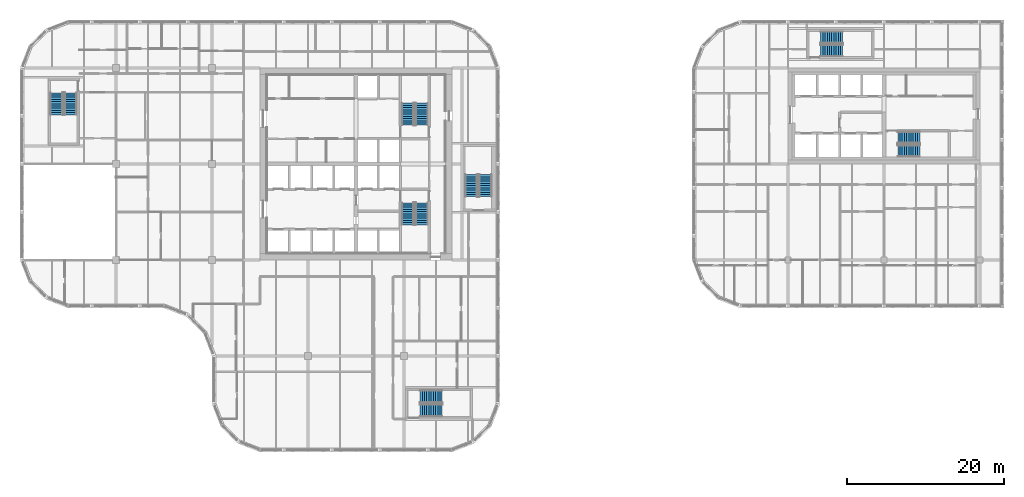
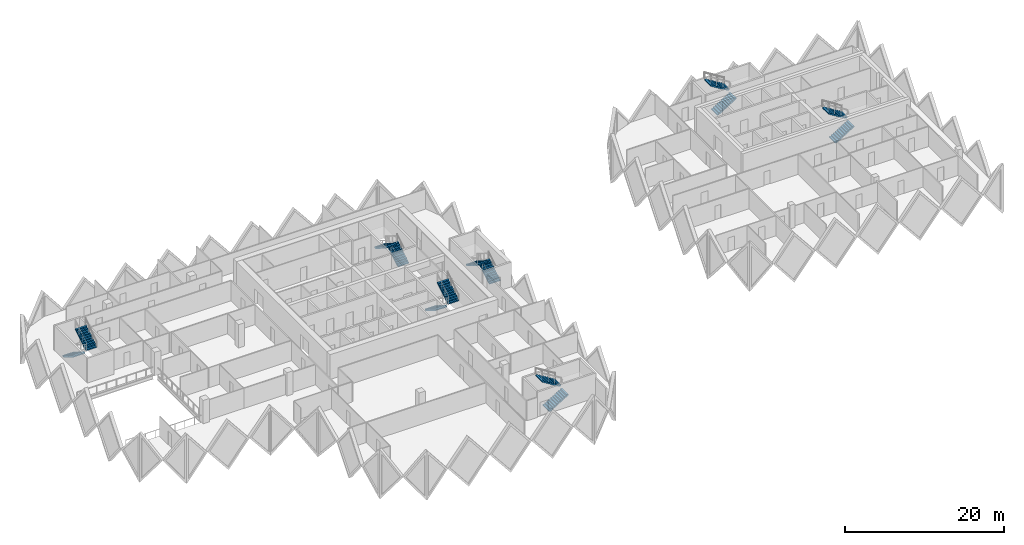
# One storey, part 16 of 18: 14 stair flights, 7 elements without a shape of their own.
"""IFC4 building model written with IfcOpenShell, lengths in metres."""

from ifc_helpers import new_model, si_unit, direction, frame, origin, place, context, subcontext, project, spatial, polyline, outline, extrude, material, type_object, element, aggregate, save


model = new_model("IFC4")

# Units and contexts
model_context = context("Model", 3, precision=1e-05, world=origin(), true_north=direction((0.0, 1.0)))
body_context = subcontext(model_context, "Body", "Model", "MODEL_VIEW")
ifc_project = project(units=[si_unit("LENGTHUNIT", "METRE"), si_unit("AREAUNIT", "SQUARE_METRE"), si_unit("VOLUMEUNIT", "CUBIC_METRE"), si_unit("PLANEANGLEUNIT", "RADIAN"), si_unit("MASSUNIT", "GRAM", prefix="KILO")], contexts=[model_context])

# Site, building, storey
site_placement = place(None, origin())
site = spatial("IfcSite", under=ifc_project, at=site_placement, CompositionType="ELEMENT")
building_placement = place(site_placement, origin())
building = spatial("IfcBuilding", under=site, at=building_placement, Name="Tessera Gate Towers", CompositionType="ELEMENT")
storey_placement = place(building_placement, frame((0.0, 0.0, 99.0)))
storey = spatial("IfcBuildingStorey", under=building, at=storey_placement, Name="L24", CompositionType="ELEMENT", Elevation=99.0)

# Stair, stair flights
ifc_material_1 = material(Name="Concrete C40/50", Category="concrete")
stair_type_1 = type_object("IfcStairType", Name="EXIT STAIR ST1 1600", PredefinedType="HALF_TURN_STAIR", material=ifc_material_1)
stair_1_placement = place(storey_placement, origin())
stair_1 = element("IfcStair", 1, at=stair_1_placement, inside=storey, type_object=stair_type_1, Name="L24 Protected Exit Stair ST1", PredefinedType="HALF_TURN_STAIR")
ifc_material_2 = material(Name="Concrete C40/50", Category="concrete")
stair_flight_type_1 = type_object("IfcStairFlightType", Name="EXIT STAIR FLIGHT ST1 1600", PredefinedType="STRAIGHT", material=ifc_material_2)
stair_flight_1_placement = place(storey_placement, frame((49.27490234375, 31.675048828125, 0.0), z_axis=(0.0, 0.0, 1.0), x_axis=(0.0, -1.0, 0.0)))
stair_flight_1 = element("IfcStairFlight", 2, at=stair_flight_1_placement, type_object=stair_flight_type_1, Name="ST1 flight 1", NumberOfRisers=11, NumberOfTreads=10, PredefinedType="STRAIGHT", RiserHeight=0.172727273, TreadLength=0.28, context=body_context, shape_type="SweptSolid", body=[
    extrude(outline(polyline([(0.0, 0.0), (0.0, 0.172607421875), (0.280029296875, 0.172607421875), (0.280029296875, 0.345458984375), (0.56005859375, 0.345458984375), (0.56005859375, 0.51806640625), (0.840087890625, 0.51806640625), (0.840087890625, 0.69091796875), (1.1201171875, 0.69091796875), (1.1201171875, 0.863525390625), (1.39990234375, 0.863525390625), (1.39990234375, 1.036376953125), (1.679931640625, 1.036376953125), (1.679931640625, 1.208984375), (1.9599609375, 1.208984375), (1.9599609375, 1.3818359375), (2.239990234375, 1.3818359375), (2.239990234375, 1.554443359375), (2.52001953125, 1.554443359375), (2.52001953125, 1.727294921875), (2.800048828125, 1.727294921875), (2.800048828125, 1.89990234375), (2.800048828125, 1.551025390625), (0.285400390625, 0.0), (0.0, 0.0)])), frame((0.0, 0.800048828125, 0.0), z_axis=(0.0, -1.0, 0.0), x_axis=(1.0, 0.0, 0.0)), (0.0, 0.0, 1.0), 1.60009765625),
])
stair_flight_2_placement = place(storey_placement, frame((51.074951171875, 28.875, 1.89990234375), z_axis=(0.0, 0.0, 1.0), x_axis=(0.0, 1.0, 0.0)))
stair_flight_2 = element("IfcStairFlight", 3, at=stair_flight_2_placement, type_object=stair_flight_type_1, Name="ST1 flight 2", NumberOfRisers=11, NumberOfTreads=10, PredefinedType="STRAIGHT", RiserHeight=0.172727273, TreadLength=0.28, context=body_context, shape_type="SweptSolid", body=[
    extrude(outline(polyline([(0.0, 0.0), (0.0, 0.172607421875), (0.280029296875, 0.172607421875), (0.280029296875, 0.345458984375), (0.56005859375, 0.345458984375), (0.56005859375, 0.51806640625), (0.840087890625, 0.51806640625), (0.840087890625, 0.69091796875), (1.1201171875, 0.69091796875), (1.1201171875, 0.863525390625), (1.39990234375, 0.863525390625), (1.39990234375, 1.036376953125), (1.679931640625, 1.036376953125), (1.679931640625, 1.208984375), (1.9599609375, 1.208984375), (1.9599609375, 1.3818359375), (2.239990234375, 1.3818359375), (2.239990234375, 1.554443359375), (2.52001953125, 1.554443359375), (2.52001953125, 1.727294921875), (2.800048828125, 1.727294921875), (2.800048828125, 1.89990234375), (2.800048828125, 1.551025390625), (0.285400390625, 0.0), (0.0, 0.0)])), frame((0.0, 0.800048828125, 0.0), z_axis=(0.0, -1.0, 0.0), x_axis=(1.0, 0.0, 0.0)), (0.0, 0.0, 1.0), 1.60009765625),
])
aggregate(stair_1, [stair_flight_1, stair_flight_2])

ifc_material_3 = material(Name="Concrete C40/50", Category="concrete")
stair_type_2 = type_object("IfcStairType", Name="EXIT STAIR ST2 1600", PredefinedType="HALF_TURN_STAIR", material=ifc_material_3)
stair_2_placement = place(storey_placement, origin())
stair_2 = element("IfcStair", 4, at=stair_2_placement, inside=storey, type_object=stair_type_2, Name="L24 Protected Exit Stair ST2", PredefinedType="HALF_TURN_STAIR")
ifc_material_4 = material(Name="Concrete C40/50", Category="concrete")
stair_flight_type_2 = type_object("IfcStairFlightType", Name="EXIT STAIR FLIGHT ST2 1600", PredefinedType="STRAIGHT", material=ifc_material_4)
stair_flight_3_placement = place(storey_placement, frame((51.074951171875, 41.52490234375, 0.0), z_axis=(0.0, 0.0, 1.0), x_axis=(0.0, 1.0, 0.0)))
stair_flight_3 = element("IfcStairFlight", 5, at=stair_flight_3_placement, type_object=stair_flight_type_2, Name="ST2 flight 1", NumberOfRisers=11, NumberOfTreads=10, PredefinedType="STRAIGHT", RiserHeight=0.172727273, TreadLength=0.28, context=body_context, shape_type="SweptSolid", body=[
    extrude(outline(polyline([(0.0, 0.0), (0.0, 0.172607421875), (0.280029296875, 0.172607421875), (0.280029296875, 0.345458984375), (0.56005859375, 0.345458984375), (0.56005859375, 0.51806640625), (0.840087890625, 0.51806640625), (0.840087890625, 0.69091796875), (1.1201171875, 0.69091796875), (1.1201171875, 0.863525390625), (1.39990234375, 0.863525390625), (1.39990234375, 1.036376953125), (1.679931640625, 1.036376953125), (1.679931640625, 1.208984375), (1.9599609375, 1.208984375), (1.9599609375, 1.3818359375), (2.239990234375, 1.3818359375), (2.239990234375, 1.554443359375), (2.52001953125, 1.554443359375), (2.52001953125, 1.727294921875), (2.800048828125, 1.727294921875), (2.800048828125, 1.89990234375), (2.800048828125, 1.551025390625), (0.285400390625, 0.0), (0.0, 0.0)])), frame((0.0, 0.800048828125, 0.0), z_axis=(0.0, -1.0, 0.0), x_axis=(1.0, 0.0, 0.0)), (0.0, 0.0, 1.0), 1.60009765625),
])
stair_flight_4_placement = place(storey_placement, frame((49.27490234375, 44.324951171875, 1.89990234375), z_axis=(0.0, 0.0, 1.0), x_axis=(0.0, -1.0, 0.0)))
stair_flight_4 = element("IfcStairFlight", 6, at=stair_flight_4_placement, type_object=stair_flight_type_2, Name="ST2 flight 2", NumberOfRisers=11, NumberOfTreads=10, PredefinedType="STRAIGHT", RiserHeight=0.172727273, TreadLength=0.28, context=body_context, shape_type="SweptSolid", body=[
    extrude(outline(polyline([(0.0, 0.0), (0.0, 0.172607421875), (0.280029296875, 0.172607421875), (0.280029296875, 0.345458984375), (0.56005859375, 0.345458984375), (0.56005859375, 0.51806640625), (0.840087890625, 0.51806640625), (0.840087890625, 0.69091796875), (1.1201171875, 0.69091796875), (1.1201171875, 0.863525390625), (1.39990234375, 0.863525390625), (1.39990234375, 1.036376953125), (1.679931640625, 1.036376953125), (1.679931640625, 1.208984375), (1.9599609375, 1.208984375), (1.9599609375, 1.3818359375), (2.239990234375, 1.3818359375), (2.239990234375, 1.554443359375), (2.52001953125, 1.554443359375), (2.52001953125, 1.727294921875), (2.800048828125, 1.727294921875), (2.800048828125, 1.89990234375), (2.800048828125, 1.551025390625), (0.285400390625, 0.0), (0.0, 0.0)])), frame((0.0, 0.800048828125, 0.0), z_axis=(0.0, -1.0, 0.0), x_axis=(1.0, 0.0, 0.0)), (0.0, 0.0, 1.0), 1.60009765625),
])
aggregate(stair_2, [stair_flight_3, stair_flight_4])

ifc_material_5 = material(Name="Concrete C40/50", Category="concrete")
stair_type_3 = type_object("IfcStairType", Name="EXIT STAIR ST3 1600", PredefinedType="HALF_TURN_STAIR", material=ifc_material_5)
stair_3_placement = place(storey_placement, origin())
stair_3 = element("IfcStair", 7, at=stair_3_placement, inside=storey, type_object=stair_type_3, Name="L24 West Exit Stair ST3", PredefinedType="HALF_TURN_STAIR")
ifc_material_6 = material(Name="Concrete C40/50", Category="concrete")
stair_flight_type_3 = type_object("IfcStairFlightType", Name="EXIT STAIR FLIGHT ST3 1600", PredefinedType="STRAIGHT", material=ifc_material_6)
stair_flight_5_placement = place(storey_placement, frame((4.64990234375, 45.64990234375, 0.0), z_axis=(0.0, 0.0, 1.0), x_axis=(0.0, -1.0, 0.0)))
stair_flight_5 = element("IfcStairFlight", 8, at=stair_flight_5_placement, type_object=stair_flight_type_3, Name="ST3 flight 1", NumberOfRisers=11, NumberOfTreads=10, PredefinedType="STRAIGHT", RiserHeight=0.172727273, TreadLength=0.28, context=body_context, shape_type="SweptSolid", body=[
    extrude(outline(polyline([(0.0, 0.0), (0.0, 0.172607421875), (0.280029296875, 0.172607421875), (0.280029296875, 0.345458984375), (0.56005859375, 0.345458984375), (0.56005859375, 0.51806640625), (0.840087890625, 0.51806640625), (0.840087890625, 0.69091796875), (1.1201171875, 0.69091796875), (1.1201171875, 0.863525390625), (1.39990234375, 0.863525390625), (1.39990234375, 1.036376953125), (1.679931640625, 1.036376953125), (1.679931640625, 1.208984375), (1.9599609375, 1.208984375), (1.9599609375, 1.3818359375), (2.239990234375, 1.3818359375), (2.239990234375, 1.554443359375), (2.52001953125, 1.554443359375), (2.52001953125, 1.727294921875), (2.800048828125, 1.727294921875), (2.800048828125, 1.89990234375), (2.800048828125, 1.551025390625), (0.285400390625, 0.0), (0.0, 0.0)])), frame((0.0, 0.800048828125, 0.0), z_axis=(0.0, -1.0, 0.0), x_axis=(1.0, 0.0, 0.0)), (0.0, 0.0, 1.0), 1.60009765625),
])
stair_flight_6_placement = place(storey_placement, frame((6.449951171875, 42.85009765625, 1.89990234375), z_axis=(0.0, 0.0, 1.0), x_axis=(0.0, 1.0, 0.0)))
stair_flight_6 = element("IfcStairFlight", 9, at=stair_flight_6_placement, type_object=stair_flight_type_3, Name="ST3 flight 2", NumberOfRisers=11, NumberOfTreads=10, PredefinedType="STRAIGHT", RiserHeight=0.172727273, TreadLength=0.28, context=body_context, shape_type="SweptSolid", body=[
    extrude(outline(polyline([(0.0, 0.0), (0.0, 0.172607421875), (0.280029296875, 0.172607421875), (0.280029296875, 0.345458984375), (0.56005859375, 0.345458984375), (0.56005859375, 0.51806640625), (0.840087890625, 0.51806640625), (0.840087890625, 0.69091796875), (1.1201171875, 0.69091796875), (1.1201171875, 0.863525390625), (1.39990234375, 0.863525390625), (1.39990234375, 1.036376953125), (1.679931640625, 1.036376953125), (1.679931640625, 1.208984375), (1.9599609375, 1.208984375), (1.9599609375, 1.3818359375), (2.239990234375, 1.3818359375), (2.239990234375, 1.554443359375), (2.52001953125, 1.554443359375), (2.52001953125, 1.727294921875), (2.800048828125, 1.727294921875), (2.800048828125, 1.89990234375), (2.800048828125, 1.551025390625), (0.285400390625, 0.0), (0.0, 0.0)])), frame((0.0, 0.800048828125, 0.0), z_axis=(0.0, -1.0, 0.0), x_axis=(1.0, 0.0, 0.0)), (0.0, 0.0, 1.0), 1.60009765625),
])
aggregate(stair_3, [stair_flight_5, stair_flight_6])

ifc_material_7 = material(Name="Concrete C40/50", Category="concrete")
stair_type_4 = type_object("IfcStairType", Name="EXIT STAIR ST4 1600", PredefinedType="HALF_TURN_STAIR", material=ifc_material_7)
stair_4_placement = place(storey_placement, origin())
stair_4 = element("IfcStair", 10, at=stair_4_placement, inside=storey, type_object=stair_type_4, Name="L24 South Exit Stair ST4", PredefinedType="HALF_TURN_STAIR")
ifc_material_8 = material(Name="Concrete C40/50", Category="concrete")
stair_flight_type_4 = type_object("IfcStairFlightType", Name="EXIT STAIR FLIGHT ST4 1600", PredefinedType="STRAIGHT", material=ifc_material_8)
stair_flight_7_placement = place(storey_placement, frame((50.85009765625, 5.25, 0.0), z_axis=(0.0, 0.0, 1.0), x_axis=(1.0, 0.0, 0.0)))
stair_flight_7 = element("IfcStairFlight", 11, at=stair_flight_7_placement, type_object=stair_flight_type_4, Name="ST4 flight 1", NumberOfRisers=11, NumberOfTreads=10, PredefinedType="STRAIGHT", RiserHeight=0.172727273, TreadLength=0.28, context=body_context, shape_type="SweptSolid", body=[
    extrude(outline(polyline([(0.0, 0.0), (0.0, 0.172607421875), (0.280029296875, 0.172607421875), (0.280029296875, 0.345458984375), (0.56005859375, 0.345458984375), (0.56005859375, 0.51806640625), (0.840087890625, 0.51806640625), (0.840087890625, 0.69091796875), (1.1201171875, 0.69091796875), (1.1201171875, 0.863525390625), (1.39990234375, 0.863525390625), (1.39990234375, 1.036376953125), (1.679931640625, 1.036376953125), (1.679931640625, 1.208984375), (1.9599609375, 1.208984375), (1.9599609375, 1.3818359375), (2.239990234375, 1.3818359375), (2.239990234375, 1.554443359375), (2.52001953125, 1.554443359375), (2.52001953125, 1.727294921875), (2.800048828125, 1.727294921875), (2.800048828125, 1.89990234375), (2.800048828125, 1.551025390625), (0.285400390625, 0.0), (0.0, 0.0)])), frame((0.0, 0.800048828125, 0.0), z_axis=(0.0, -1.0, 0.0), x_axis=(1.0, 0.0, 0.0)), (0.0, 0.0, 1.0), 1.60009765625),
])
stair_flight_8_placement = place(storey_placement, frame((53.64990234375, 7.050048828125, 1.89990234375), z_axis=(0.0, 0.0, 1.0), x_axis=(-1.0, 0.0, 0.0)))
stair_flight_8 = element("IfcStairFlight", 12, at=stair_flight_8_placement, type_object=stair_flight_type_4, Name="ST4 flight 2", NumberOfRisers=11, NumberOfTreads=10, PredefinedType="STRAIGHT", RiserHeight=0.172727273, TreadLength=0.28, context=body_context, shape_type="SweptSolid", body=[
    extrude(outline(polyline([(0.0, 0.0), (0.0, 0.172607421875), (0.280029296875, 0.172607421875), (0.280029296875, 0.345458984375), (0.56005859375, 0.345458984375), (0.56005859375, 0.51806640625), (0.840087890625, 0.51806640625), (0.840087890625, 0.69091796875), (1.1201171875, 0.69091796875), (1.1201171875, 0.863525390625), (1.39990234375, 0.863525390625), (1.39990234375, 1.036376953125), (1.679931640625, 1.036376953125), (1.679931640625, 1.208984375), (1.9599609375, 1.208984375), (1.9599609375, 1.3818359375), (2.239990234375, 1.3818359375), (2.239990234375, 1.554443359375), (2.52001953125, 1.554443359375), (2.52001953125, 1.727294921875), (2.800048828125, 1.727294921875), (2.800048828125, 1.89990234375), (2.800048828125, 1.551025390625), (0.285400390625, 0.0), (0.0, 0.0)])), frame((0.0, 0.800048828125, 0.0), z_axis=(0.0, -1.0, 0.0), x_axis=(1.0, 0.0, 0.0)), (0.0, 0.0, 1.0), 1.60009765625),
])
aggregate(stair_4, [stair_flight_7, stair_flight_8])

ifc_material_9 = material(Name="Concrete C40/50", Category="concrete")
stair_type_5 = type_object("IfcStairType", Name="EXIT STAIR ST5 1600", PredefinedType="HALF_TURN_STAIR", material=ifc_material_9)
stair_5_placement = place(storey_placement, origin())
stair_5 = element("IfcStair", 13, at=stair_5_placement, inside=storey, type_object=stair_type_5, Name="L24 East Exit Stair ST5", PredefinedType="HALF_TURN_STAIR")
ifc_material_10 = material(Name="Concrete C40/50", Category="concrete")
stair_flight_type_5 = type_object("IfcStairFlightType", Name="EXIT STAIR FLIGHT ST5 1600", PredefinedType="STRAIGHT", material=ifc_material_10)
stair_flight_9_placement = place(storey_placement, frame((59.14990234375, 32.449951171875, 0.0), z_axis=(0.0, 0.0, 1.0), x_axis=(0.0, 1.0, 0.0)))
stair_flight_9 = element("IfcStairFlight", 14, at=stair_flight_9_placement, type_object=stair_flight_type_5, Name="ST5 flight 1", NumberOfRisers=11, NumberOfTreads=10, PredefinedType="STRAIGHT", RiserHeight=0.172727273, TreadLength=0.28, context=body_context, shape_type="SweptSolid", body=[
    extrude(outline(polyline([(0.0, 0.0), (0.0, 0.172607421875), (0.280029296875, 0.172607421875), (0.280029296875, 0.345458984375), (0.56005859375, 0.345458984375), (0.56005859375, 0.51806640625), (0.840087890625, 0.51806640625), (0.840087890625, 0.69091796875), (1.1201171875, 0.69091796875), (1.1201171875, 0.863525390625), (1.39990234375, 0.863525390625), (1.39990234375, 1.036376953125), (1.679931640625, 1.036376953125), (1.679931640625, 1.208984375), (1.9599609375, 1.208984375), (1.9599609375, 1.3818359375), (2.239990234375, 1.3818359375), (2.239990234375, 1.554443359375), (2.52001953125, 1.554443359375), (2.52001953125, 1.727294921875), (2.800048828125, 1.727294921875), (2.800048828125, 1.89990234375), (2.800048828125, 1.551025390625), (0.285400390625, 0.0), (0.0, 0.0)])), frame((0.0, 0.800048828125, 0.0), z_axis=(0.0, -1.0, 0.0), x_axis=(1.0, 0.0, 0.0)), (0.0, 0.0, 1.0), 1.60009765625),
])
stair_flight_10_placement = place(storey_placement, frame((57.35009765625, 35.25, 1.89990234375), z_axis=(0.0, 0.0, 1.0), x_axis=(0.0, -1.0, 0.0)))
stair_flight_10 = element("IfcStairFlight", 15, at=stair_flight_10_placement, type_object=stair_flight_type_5, Name="ST5 flight 2", NumberOfRisers=11, NumberOfTreads=10, PredefinedType="STRAIGHT", RiserHeight=0.172727273, TreadLength=0.28, context=body_context, shape_type="SweptSolid", body=[
    extrude(outline(polyline([(0.0, 0.0), (0.0, 0.172607421875), (0.280029296875, 0.172607421875), (0.280029296875, 0.345458984375), (0.56005859375, 0.345458984375), (0.56005859375, 0.51806640625), (0.840087890625, 0.51806640625), (0.840087890625, 0.69091796875), (1.1201171875, 0.69091796875), (1.1201171875, 0.863525390625), (1.39990234375, 0.863525390625), (1.39990234375, 1.036376953125), (1.679931640625, 1.036376953125), (1.679931640625, 1.208984375), (1.9599609375, 1.208984375), (1.9599609375, 1.3818359375), (2.239990234375, 1.3818359375), (2.239990234375, 1.554443359375), (2.52001953125, 1.554443359375), (2.52001953125, 1.727294921875), (2.800048828125, 1.727294921875), (2.800048828125, 1.89990234375), (2.800048828125, 1.551025390625), (0.285400390625, 0.0), (0.0, 0.0)])), frame((0.0, 0.800048828125, 0.0), z_axis=(0.0, -1.0, 0.0), x_axis=(1.0, 0.0, 0.0)), (0.0, 0.0, 1.0), 1.60009765625),
])
aggregate(stair_5, [stair_flight_9, stair_flight_10])

ifc_material_11 = material(Name="Concrete C40/50", Category="concrete")
stair_type_6 = type_object("IfcStairType", Name="EXIT STAIR ST6 1500", PredefinedType="HALF_TURN_STAIR", material=ifc_material_11)
stair_6_placement = place(storey_placement, origin())
stair_6 = element("IfcStair", 16, at=stair_6_placement, inside=storey, type_object=stair_type_6, Name="L24 Protected Exit Stair ST6", PredefinedType="HALF_TURN_STAIR")
ifc_material_12 = material(Name="Concrete C40/50", Category="concrete")
stair_flight_type_6 = type_object("IfcStairFlightType", Name="EXIT STAIR FLIGHT ST6 1500", PredefinedType="STRAIGHT", material=ifc_material_12)
stair_flight_11_placement = place(storey_placement, frame((111.550048828125, 38.25, 0.0), z_axis=(0.0, 0.0, 1.0), x_axis=(1.0, 0.0, 0.0)))
stair_flight_11 = element("IfcStairFlight", 17, at=stair_flight_11_placement, type_object=stair_flight_type_6, Name="ST6 flight 1", NumberOfRisers=11, NumberOfTreads=10, PredefinedType="STRAIGHT", RiserHeight=0.172727273, TreadLength=0.28, context=body_context, shape_type="SweptSolid", body=[
    extrude(outline(polyline([(0.0, 0.0), (0.0, 0.172607421875), (0.280029296875, 0.172607421875), (0.280029296875, 0.345458984375), (0.56005859375, 0.345458984375), (0.56005859375, 0.51806640625), (0.840087890625, 0.51806640625), (0.840087890625, 0.69091796875), (1.1201171875, 0.69091796875), (1.1201171875, 0.863525390625), (1.39990234375, 0.863525390625), (1.39990234375, 1.036376953125), (1.679931640625, 1.036376953125), (1.679931640625, 1.208984375), (1.9599609375, 1.208984375), (1.9599609375, 1.3818359375), (2.239990234375, 1.3818359375), (2.239990234375, 1.554443359375), (2.52001953125, 1.554443359375), (2.52001953125, 1.727294921875), (2.800048828125, 1.727294921875), (2.800048828125, 1.89990234375), (2.800048828125, 1.551025390625), (0.285400390625, 0.0), (0.0, 0.0)])), frame((0.0, 0.75, 0.0), z_axis=(0.0, -1.0, 0.0), x_axis=(1.0, 0.0, 0.0)), (0.0, 0.0, 1.0), 1.5),
])
stair_flight_12_placement = place(storey_placement, frame((114.35009765625, 39.949951171875, 1.89990234375), z_axis=(0.0, 0.0, 1.0), x_axis=(-1.0, 0.0, 0.0)))
stair_flight_12 = element("IfcStairFlight", 18, at=stair_flight_12_placement, type_object=stair_flight_type_6, Name="ST6 flight 2", NumberOfRisers=11, NumberOfTreads=10, PredefinedType="STRAIGHT", RiserHeight=0.172727273, TreadLength=0.28, context=body_context, shape_type="SweptSolid", body=[
    extrude(outline(polyline([(0.0, 0.0), (0.0, 0.172607421875), (0.280029296875, 0.172607421875), (0.280029296875, 0.345458984375), (0.56005859375, 0.345458984375), (0.56005859375, 0.51806640625), (0.840087890625, 0.51806640625), (0.840087890625, 0.69091796875), (1.1201171875, 0.69091796875), (1.1201171875, 0.863525390625), (1.39990234375, 0.863525390625), (1.39990234375, 1.036376953125), (1.679931640625, 1.036376953125), (1.679931640625, 1.208984375), (1.9599609375, 1.208984375), (1.9599609375, 1.3818359375), (2.239990234375, 1.3818359375), (2.239990234375, 1.554443359375), (2.52001953125, 1.554443359375), (2.52001953125, 1.727294921875), (2.800048828125, 1.727294921875), (2.800048828125, 1.89990234375), (2.800048828125, 1.551025390625), (0.285400390625, 0.0), (0.0, 0.0)])), frame((0.0, 0.75, 0.0), z_axis=(0.0, -1.0, 0.0), x_axis=(1.0, 0.0, 0.0)), (0.0, 0.0, 1.0), 1.5),
])
aggregate(stair_6, [stair_flight_11, stair_flight_12])

ifc_material_13 = material(Name="Concrete C40/50", Category="concrete")
stair_type_7 = type_object("IfcStairType", Name="EXIT STAIR ST7 1500", PredefinedType="HALF_TURN_STAIR", material=ifc_material_13)
stair_7_placement = place(storey_placement, origin())
stair_7 = element("IfcStair", 19, at=stair_7_placement, inside=storey, type_object=stair_type_7, Name="L24 North Exit Stair ST7", PredefinedType="HALF_TURN_STAIR")
ifc_material_14 = material(Name="Concrete C40/50", Category="concrete")
stair_flight_type_7 = type_object("IfcStairFlightType", Name="EXIT STAIR FLIGHT ST7 1500", PredefinedType="STRAIGHT", material=ifc_material_14)
stair_flight_13_placement = place(storey_placement, frame((101.75, 51.0, 0.0), z_axis=(0.0, 0.0, 1.0), x_axis=(1.0, 0.0, 0.0)))
stair_flight_13 = element("IfcStairFlight", 20, at=stair_flight_13_placement, type_object=stair_flight_type_7, Name="ST7 flight 1", NumberOfRisers=11, NumberOfTreads=10, PredefinedType="STRAIGHT", RiserHeight=0.172727273, TreadLength=0.28, context=body_context, shape_type="SweptSolid", body=[
    extrude(outline(polyline([(0.0, 0.0), (0.0, 0.172607421875), (0.280029296875, 0.172607421875), (0.280029296875, 0.345458984375), (0.56005859375, 0.345458984375), (0.56005859375, 0.51806640625), (0.840087890625, 0.51806640625), (0.840087890625, 0.69091796875), (1.1201171875, 0.69091796875), (1.1201171875, 0.863525390625), (1.39990234375, 0.863525390625), (1.39990234375, 1.036376953125), (1.679931640625, 1.036376953125), (1.679931640625, 1.208984375), (1.9599609375, 1.208984375), (1.9599609375, 1.3818359375), (2.239990234375, 1.3818359375), (2.239990234375, 1.554443359375), (2.52001953125, 1.554443359375), (2.52001953125, 1.727294921875), (2.800048828125, 1.727294921875), (2.800048828125, 1.89990234375), (2.800048828125, 1.551025390625), (0.285400390625, 0.0), (0.0, 0.0)])), frame((0.0, 0.75, 0.0), z_axis=(0.0, -1.0, 0.0), x_axis=(1.0, 0.0, 0.0)), (0.0, 0.0, 1.0), 1.5),
])
stair_flight_14_placement = place(storey_placement, frame((104.550048828125, 52.699951171875, 1.89990234375), z_axis=(0.0, 0.0, 1.0), x_axis=(-1.0, 0.0, 0.0)))
stair_flight_14 = element("IfcStairFlight", 21, at=stair_flight_14_placement, type_object=stair_flight_type_7, Name="ST7 flight 2", NumberOfRisers=11, NumberOfTreads=10, PredefinedType="STRAIGHT", RiserHeight=0.172727273, TreadLength=0.28, context=body_context, shape_type="SweptSolid", body=[
    extrude(outline(polyline([(0.0, 0.0), (0.0, 0.172607421875), (0.280029296875, 0.172607421875), (0.280029296875, 0.345458984375), (0.56005859375, 0.345458984375), (0.56005859375, 0.51806640625), (0.840087890625, 0.51806640625), (0.840087890625, 0.69091796875), (1.1201171875, 0.69091796875), (1.1201171875, 0.863525390625), (1.39990234375, 0.863525390625), (1.39990234375, 1.036376953125), (1.679931640625, 1.036376953125), (1.679931640625, 1.208984375), (1.9599609375, 1.208984375), (1.9599609375, 1.3818359375), (2.239990234375, 1.3818359375), (2.239990234375, 1.554443359375), (2.52001953125, 1.554443359375), (2.52001953125, 1.727294921875), (2.800048828125, 1.727294921875), (2.800048828125, 1.89990234375), (2.800048828125, 1.551025390625), (0.285400390625, 0.0), (0.0, 0.0)])), frame((0.0, 0.75, 0.0), z_axis=(0.0, -1.0, 0.0), x_axis=(1.0, 0.0, 0.0)), (0.0, 0.0, 1.0), 1.5),
])
aggregate(stair_7, [stair_flight_13, stair_flight_14])

save(model, "model.ifc")
